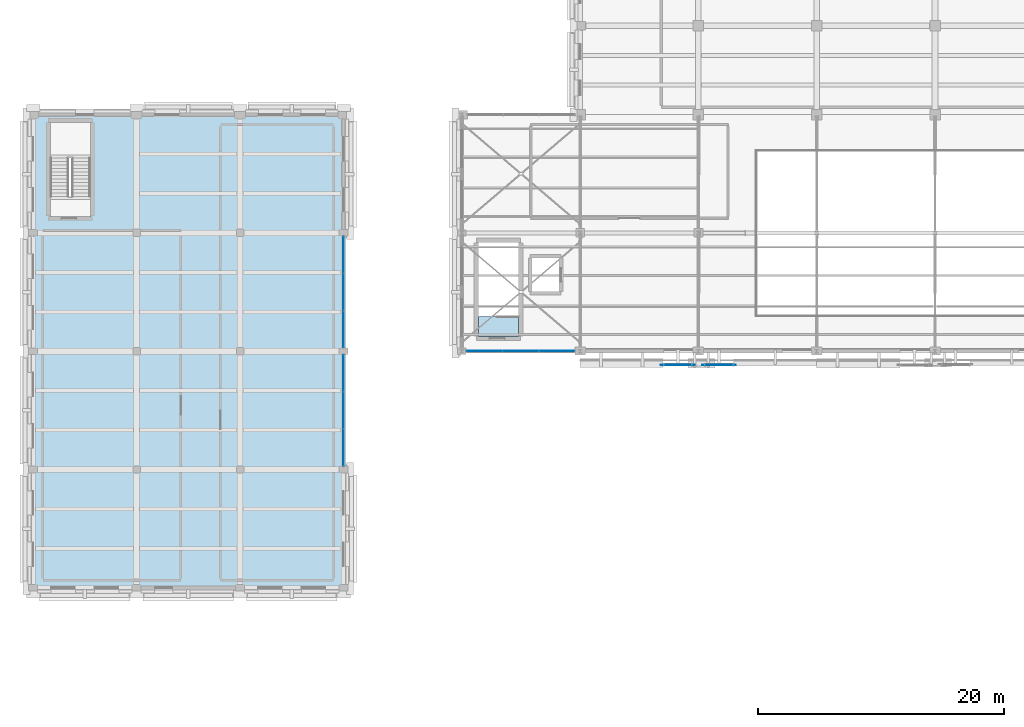
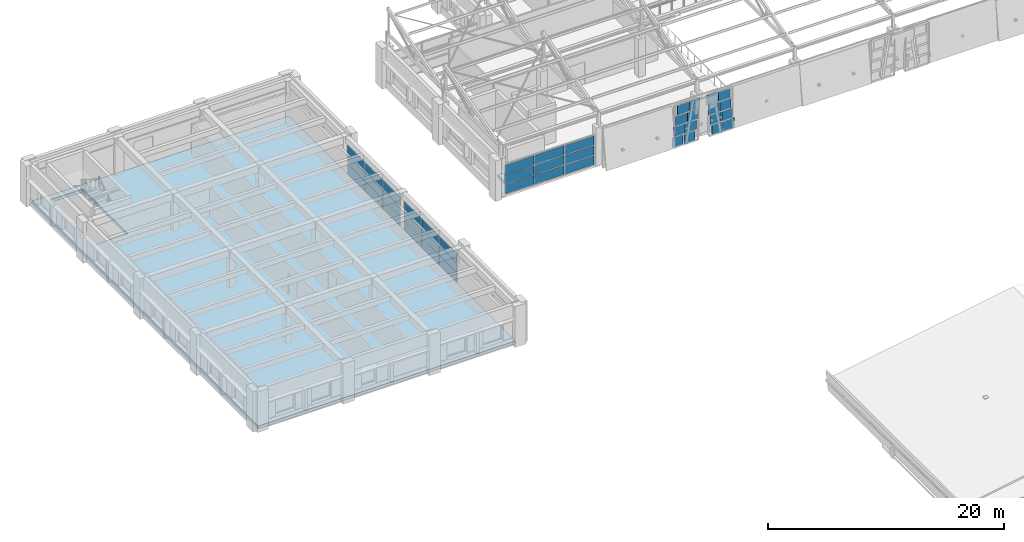
# One storey, part 35 of 58: 43 plates, 2 slabs, 5 elements without a shape of their own.
"""IFC4 building model written with IfcOpenShell, lengths in metres."""

from ifc_helpers import new_model, si_unit, direction, frame, origin, origin_2d, place, context, subcontext, project, spatial, polyline, rectangle, outline, extrude, material, layer, layer_set, type_object, element, aggregate, save


model = new_model("IFC4")

# Units and contexts
model_context = context("Model", 3, precision=1e-05, world=origin(), true_north=direction((0.0, 1.0)))
body_context = subcontext(model_context, "Body", "Model", "MODEL_VIEW")
ifc_project = project(units=[si_unit("LENGTHUNIT", "METRE"), si_unit("AREAUNIT", "SQUARE_METRE"), si_unit("VOLUMEUNIT", "CUBIC_METRE"), si_unit("PLANEANGLEUNIT", "RADIAN"), si_unit("MASSUNIT", "GRAM", prefix="KILO")], contexts=[model_context])

# Site, building, storey
site_placement = place(None, origin())
site = spatial("IfcSite", under=ifc_project, at=site_placement, CompositionType="ELEMENT")
building_placement = place(site_placement, origin())
building = spatial("IfcBuilding", under=site, at=building_placement, Name="Bempovik Park Faculty of Sciences", CompositionType="ELEMENT")
storey_placement = place(building_placement, frame((0.0, 0.0, 18.300048828125)))
storey = spatial("IfcBuildingStorey", under=building, at=storey_placement, Name="L04", CompositionType="ELEMENT", Elevation=18.300048828125)

# Curtain wall, plates
ifc_material_1 = material(Name="Tempered laminated low-E glass", Category="glass")
ifc_layer_1 = layer(ifc_material_1, 0.159912109375)
ifc_layer_set_1 = layer_set([ifc_layer_1], Name="Tempered laminated low-E glass")
curtain_wall_type_1 = type_object("IfcCurtainWallType", Name="CW-41 Curtain 6600x3800", PredefinedType="USERDEFINED", material=ifc_layer_set_1)
curtain_wall_1_placement = place(storey_placement, origin())
curtain_wall_1 = element("IfcCurtainWall", 1, at=curtain_wall_1_placement, inside=storey, type_object=curtain_wall_type_1, Name="L04 Unitised Curtain Wall (67.8,50.4)", ObjectType="UNITISED CURTAIN WALL", PredefinedType="USERDEFINED")
ifc_layer_2 = layer(ifc_material_1, 0.033935546875)
ifc_layer_set_2 = layer_set([ifc_layer_2], Name="Tempered laminated low-E glass")
plate_type_1 = type_object("IfcPlateType", Name="CP-19 Curtain Panel 34mm", PredefinedType="CURTAIN_PANEL", material=ifc_layer_set_2)
plate_1_placement = place(storey_placement, frame((52.22216796875, 67.800048828125, 1.066650390625), z_axis=(0.0, 0.0, 1.0), x_axis=(1.0, 0.0, 0.0)))
plate_1 = element("IfcPlate", 2, at=plate_1_placement, type_object=plate_type_1, Name="CW-BAY-L04-678-504 Panel 0-1", PredefinedType="CURTAIN_PANEL", context=body_context, shape_type="SweptSolid", body=[
    extrude(rectangle(XDim=2.8603515625, YDim=0.035888671875, at=origin_2d()), origin(), (0.0, 0.0, 1.0), 0.94677734375),
])
plate_2_placement = place(storey_placement, frame((52.22216796875, 67.800048828125, 2.09326171875), z_axis=(0.0, 0.0, 1.0), x_axis=(1.0, 0.0, 0.0)))
plate_2 = element("IfcPlate", 3, at=plate_2_placement, type_object=plate_type_1, Name="CW-BAY-L04-678-504 Panel 0-2", PredefinedType="CURTAIN_PANEL", context=body_context, shape_type="SweptSolid", body=[
    extrude(rectangle(XDim=2.8603515625, YDim=0.035888671875, at=origin_2d()), origin(), (0.0, 0.0, 1.0), 0.94677734375),
])
plate_3_placement = place(storey_placement, frame((55.16259765625, 67.800048828125, 1.066650390625), z_axis=(0.0, 0.0, 1.0), x_axis=(1.0, 0.0, 0.0)))
plate_3 = element("IfcPlate", 4, at=plate_3_placement, type_object=plate_type_1, Name="CW-BAY-L04-678-504 Panel 1-1", PredefinedType="CURTAIN_PANEL", context=body_context, shape_type="SweptSolid", body=[
    extrude(rectangle(XDim=2.8603515625, YDim=0.035888671875, at=origin_2d()), origin(), (0.0, 0.0, 1.0), 0.94677734375),
])
plate_4_placement = place(storey_placement, frame((55.16259765625, 67.800048828125, 2.09326171875), z_axis=(0.0, 0.0, 1.0), x_axis=(1.0, 0.0, 0.0)))
plate_4 = element("IfcPlate", 5, at=plate_4_placement, type_object=plate_type_1, Name="CW-BAY-L04-678-504 Panel 1-2", PredefinedType="CURTAIN_PANEL", context=body_context, shape_type="SweptSolid", body=[
    extrude(rectangle(XDim=2.8603515625, YDim=0.035888671875, at=origin_2d()), origin(), (0.0, 0.0, 1.0), 0.94677734375),
])
plate_5_placement = place(storey_placement, frame((58.102783203125, 67.800048828125, 1.066650390625), z_axis=(0.0, 0.0, 1.0), x_axis=(1.0, 0.0, 0.0)))
plate_5 = element("IfcPlate", 6, at=plate_5_placement, type_object=plate_type_1, Name="CW-BAY-L04-678-504 Panel 2-1", PredefinedType="CURTAIN_PANEL", context=body_context, shape_type="SweptSolid", body=[
    extrude(rectangle(XDim=2.8603515625, YDim=0.035888671875, at=origin_2d()), origin(), (0.0, 0.0, 1.0), 0.94677734375),
])
plate_6_placement = place(storey_placement, frame((58.102783203125, 67.800048828125, 2.09326171875), z_axis=(0.0, 0.0, 1.0), x_axis=(1.0, 0.0, 0.0)))
plate_6 = element("IfcPlate", 7, at=plate_6_placement, type_object=plate_type_1, Name="CW-BAY-L04-678-504 Panel 2-2", PredefinedType="CURTAIN_PANEL", context=body_context, shape_type="SweptSolid", body=[
    extrude(rectangle(XDim=2.8603515625, YDim=0.035888671875, at=origin_2d()), origin(), (0.0, 0.0, 1.0), 0.94677734375),
])

ifc_layer_3 = layer(ifc_material_1, 0.159912109375)
ifc_layer_set_3 = layer_set([ifc_layer_3], Name="Tempered laminated low-E glass")
curtain_wall_type_2 = type_object("IfcCurtainWallType", Name="CW-42 Curtain 6400x3700", PredefinedType="USERDEFINED", material=ifc_layer_set_3)
curtain_wall_2_placement = place(storey_placement, origin())
curtain_wall_2 = element("IfcCurtainWall", 8, at=curtain_wall_2_placement, inside=storey, type_object=curtain_wall_type_2, Name="L04 Unitised Curtain Wall (40.8,58.2)", ObjectType="UNITISED CURTAIN WALL", PredefinedType="USERDEFINED")
ifc_layer_4 = layer(ifc_material_1, 0.028076171875)
ifc_layer_set_4 = layer_set([ifc_layer_4], Name="Tempered laminated low-E glass")
plate_type_2 = type_object("IfcPlateType", Name="CP-20 Curtain Panel 28mm", PredefinedType="CURTAIN_PANEL", material=ifc_layer_set_4)
plate_7_placement = place(storey_placement, frame((40.800048828125, 59.981201171875, 1.066650390625), z_axis=(0.0, 0.0, 1.0), x_axis=(0.0, 1.0, 0.0)))
plate_7 = element("IfcPlate", 9, at=plate_7_placement, type_object=plate_type_2, Name="CW-BAY-L04-408-582 Panel 0-1", PredefinedType="CURTAIN_PANEL", context=body_context, shape_type="SweptSolid", body=[
    extrude(rectangle(XDim=2.938720703125, YDim=0.035888671875, at=origin_2d()), origin(), (0.0, 0.0, 1.0), 0.94677734375),
])
plate_8_placement = place(storey_placement, frame((40.800048828125, 59.981201171875, 2.09326171875), z_axis=(0.0, 0.0, 1.0), x_axis=(0.0, 1.0, 0.0)))
plate_8 = element("IfcPlate", 10, at=plate_8_placement, type_object=plate_type_2, Name="CW-BAY-L04-408-582 Panel 0-2", PredefinedType="CURTAIN_PANEL", context=body_context, shape_type="SweptSolid", body=[
    extrude(rectangle(XDim=2.938720703125, YDim=0.035888671875, at=origin_2d()), origin(), (0.0, 0.0, 1.0), 0.94677734375),
])
plate_9_placement = place(storey_placement, frame((40.800048828125, 63.0, 1.066650390625), z_axis=(0.0, 0.0, 1.0), x_axis=(0.0, 1.0, 0.0)))
plate_9 = element("IfcPlate", 11, at=plate_9_placement, type_object=plate_type_2, Name="CW-BAY-L04-408-582 Panel 1-1", PredefinedType="CURTAIN_PANEL", context=body_context, shape_type="SweptSolid", body=[
    extrude(rectangle(XDim=2.938720703125, YDim=0.035888671875, at=origin_2d()), origin(), (0.0, 0.0, 1.0), 0.94677734375),
])
plate_10_placement = place(storey_placement, frame((40.800048828125, 63.0, 2.09326171875), z_axis=(0.0, 0.0, 1.0), x_axis=(0.0, 1.0, 0.0)))
plate_10 = element("IfcPlate", 12, at=plate_10_placement, type_object=plate_type_2, Name="CW-BAY-L04-408-582 Panel 1-2", PredefinedType="CURTAIN_PANEL", context=body_context, shape_type="SweptSolid", body=[
    extrude(rectangle(XDim=2.938720703125, YDim=0.035888671875, at=origin_2d()), origin(), (0.0, 0.0, 1.0), 0.94677734375),
])
plate_11_placement = place(storey_placement, frame((40.800048828125, 66.018798828125, 1.066650390625), z_axis=(0.0, 0.0, 1.0), x_axis=(0.0, 1.0, 0.0)))
plate_11 = element("IfcPlate", 13, at=plate_11_placement, type_object=plate_type_2, Name="CW-BAY-L04-408-582 Panel 2-1", PredefinedType="CURTAIN_PANEL", context=body_context, shape_type="SweptSolid", body=[
    extrude(rectangle(XDim=2.938720703125, YDim=0.035888671875, at=origin_2d()), origin(), (0.0, 0.0, 1.0), 0.94677734375),
])
plate_12_placement = place(storey_placement, frame((40.800048828125, 66.018798828125, 2.09326171875), z_axis=(0.0, 0.0, 1.0), x_axis=(0.0, 1.0, 0.0)))
plate_12 = element("IfcPlate", 14, at=plate_12_placement, type_object=plate_type_2, Name="CW-BAY-L04-408-582 Panel 2-2", PredefinedType="CURTAIN_PANEL", context=body_context, shape_type="SweptSolid", body=[
    extrude(rectangle(XDim=2.938720703125, YDim=0.035888671875, at=origin_2d()), origin(), (0.0, 0.0, 1.0), 0.94677734375),
])

curtain_wall_3_placement = place(storey_placement, origin())
curtain_wall_3 = element("IfcCurtainWall", 15, at=curtain_wall_3_placement, inside=storey, type_object=curtain_wall_type_2, Name="L04 Unitised Curtain Wall (40.8,67.8)", ObjectType="UNITISED CURTAIN WALL", PredefinedType="USERDEFINED")
plate_13_placement = place(storey_placement, frame((40.800048828125, 69.581298828125, 1.066650390625), z_axis=(0.0, 0.0, 1.0), x_axis=(0.0, 1.0, 0.0)))
plate_13 = element("IfcPlate", 16, at=plate_13_placement, type_object=plate_type_2, Name="CW-BAY-L04-408-678 Panel 0-1", PredefinedType="CURTAIN_PANEL", context=body_context, shape_type="SweptSolid", body=[
    extrude(rectangle(XDim=2.938720703125, YDim=0.035888671875, at=origin_2d()), origin(), (0.0, 0.0, 1.0), 0.94677734375),
])
plate_14_placement = place(storey_placement, frame((40.800048828125, 69.581298828125, 2.09326171875), z_axis=(0.0, 0.0, 1.0), x_axis=(0.0, 1.0, 0.0)))
plate_14 = element("IfcPlate", 17, at=plate_14_placement, type_object=plate_type_2, Name="CW-BAY-L04-408-678 Panel 0-2", PredefinedType="CURTAIN_PANEL", context=body_context, shape_type="SweptSolid", body=[
    extrude(rectangle(XDim=2.938720703125, YDim=0.035888671875, at=origin_2d()), origin(), (0.0, 0.0, 1.0), 0.94677734375),
])
plate_15_placement = place(storey_placement, frame((40.800048828125, 72.60009765625, 1.066650390625), z_axis=(0.0, 0.0, 1.0), x_axis=(0.0, 1.0, 0.0)))
plate_15 = element("IfcPlate", 18, at=plate_15_placement, type_object=plate_type_2, Name="CW-BAY-L04-408-678 Panel 1-1", PredefinedType="CURTAIN_PANEL", context=body_context, shape_type="SweptSolid", body=[
    extrude(rectangle(XDim=2.938720703125, YDim=0.035888671875, at=origin_2d()), origin(), (0.0, 0.0, 1.0), 0.94677734375),
])
plate_16_placement = place(storey_placement, frame((40.800048828125, 72.60009765625, 2.09326171875), z_axis=(0.0, 0.0, 1.0), x_axis=(0.0, 1.0, 0.0)))
plate_16 = element("IfcPlate", 19, at=plate_16_placement, type_object=plate_type_2, Name="CW-BAY-L04-408-678 Panel 1-2", PredefinedType="CURTAIN_PANEL", context=body_context, shape_type="SweptSolid", body=[
    extrude(rectangle(XDim=2.938720703125, YDim=0.035888671875, at=origin_2d()), origin(), (0.0, 0.0, 1.0), 0.94677734375),
])
plate_17_placement = place(storey_placement, frame((40.800048828125, 75.61865234375, 1.066650390625), z_axis=(0.0, 0.0, 1.0), x_axis=(0.0, 1.0, 0.0)))
plate_17 = element("IfcPlate", 20, at=plate_17_placement, type_object=plate_type_2, Name="CW-BAY-L04-408-678 Panel 2-1", PredefinedType="CURTAIN_PANEL", context=body_context, shape_type="SweptSolid", body=[
    extrude(rectangle(XDim=2.938720703125, YDim=0.035888671875, at=origin_2d()), origin(), (0.0, 0.0, 1.0), 0.94677734375),
])
plate_18_placement = place(storey_placement, frame((40.800048828125, 75.61865234375, 2.09326171875), z_axis=(0.0, 0.0, 1.0), x_axis=(0.0, 1.0, 0.0)))
plate_18 = element("IfcPlate", 21, at=plate_18_placement, type_object=plate_type_2, Name="CW-BAY-L04-408-678 Panel 2-2", PredefinedType="CURTAIN_PANEL", context=body_context, shape_type="SweptSolid", body=[
    extrude(rectangle(XDim=2.938720703125, YDim=0.035888671875, at=origin_2d()), origin(), (0.0, 0.0, 1.0), 0.94677734375),
])

ifc_layer_5 = layer(ifc_material_1, 0.159912109375)
ifc_layer_set_5 = layer_set([ifc_layer_5], Name="Tempered laminated low-E glass")
curtain_wall_type_3 = type_object("IfcCurtainWallType", Name="CW-33 Curtain 2400x4000", PredefinedType="USERDEFINED", material=ifc_layer_set_5)
curtain_wall_4_placement = place(storey_placement, origin())
curtain_wall_4 = element("IfcCurtainWall", 22, at=curtain_wall_4_placement, inside=storey, type_object=curtain_wall_type_3, Name="L04 Crystal Slantwise Light Fold (67.8,60.0)", ObjectType="UNITISED CURTAIN WALL", PredefinedType="USERDEFINED")
ifc_layer_6 = layer(ifc_material_1, 0.035888671875)
ifc_layer_set_6 = layer_set([ifc_layer_6], Name="Tempered laminated low-E glass")
plate_type_3 = type_object("IfcPlateType", Name="CP-22 Curtain Panel 36mm", PredefinedType="CURTAIN_PANEL", material=ifc_layer_set_6)
plate_19_placement = place(storey_placement, frame((67.093017578125, 66.697021484375, 0.0), z_axis=(0.0, 0.0, 1.0), x_axis=(1.0, 0.0, 0.0)))
plate_19 = element("IfcPlate", 23, at=plate_19_placement, type_object=plate_type_3, Name="CW-FOLD-L04-678-600 Panel 0-0", PredefinedType="CURTAIN_PANEL", context=body_context, shape_type="SweptSolid", body=[
    extrude(rectangle(XDim=1.070068359375, YDim=0.035888671875, at=origin_2d()), origin(), (0.0, 0.0, 1.0), 0.989990234375),
])
plate_20_placement = place(storey_placement, frame((67.262939453125, 66.697021484375, 1.06982421875), z_axis=(0.0, 0.0, 1.0), x_axis=(1.0, 0.0, 0.0)))
plate_20 = element("IfcPlate", 24, at=plate_20_placement, type_object=plate_type_3, Name="CW-FOLD-L04-678-600 Panel 0-1", PredefinedType="CURTAIN_PANEL", context=body_context, shape_type="SweptSolid", body=[
    extrude(rectangle(XDim=1.070068359375, YDim=0.035888671875, at=origin_2d()), origin(), (0.0, 0.0, 1.0), 0.989990234375),
])
plate_21_placement = place(storey_placement, frame((67.43310546875, 66.697021484375, 2.14013671875), z_axis=(0.0, 0.0, 1.0), x_axis=(1.0, 0.0, 0.0)))
plate_21 = element("IfcPlate", 25, at=plate_21_placement, type_object=plate_type_3, Name="CW-FOLD-L04-678-600 Panel 0-2", PredefinedType="CURTAIN_PANEL", context=body_context, shape_type="SweptSolid", body=[
    extrude(rectangle(XDim=1.070068359375, YDim=0.035888671875, at=origin_2d()), origin(), (0.0, 0.0, 1.0), 0.989990234375),
])
plate_22_placement = place(storey_placement, frame((67.60302734375, 66.697021484375, 3.2099609375), z_axis=(0.0, 0.0, 1.0), x_axis=(1.0, 0.0, 0.0)))
plate_22 = element("IfcPlate", 26, at=plate_22_placement, type_object=plate_type_3, Name="CW-FOLD-L04-678-600 Panel 0-3", PredefinedType="CURTAIN_PANEL", context=body_context, shape_type="SweptSolid", body=[
    extrude(rectangle(XDim=1.070068359375, YDim=0.035888671875, at=origin_2d()), origin(), (0.0, 0.0, 1.0), 0.989990234375),
])
plate_23_placement = place(storey_placement, frame((68.242919921875, 66.697021484375, 0.0), z_axis=(0.0, 0.0, 1.0), x_axis=(1.0, 0.0, 0.0)))
plate_23 = element("IfcPlate", 27, at=plate_23_placement, type_object=plate_type_3, Name="CW-FOLD-L04-678-600 Panel 1-0", PredefinedType="CURTAIN_PANEL", context=body_context, shape_type="SweptSolid", body=[
    extrude(rectangle(XDim=1.070068359375, YDim=0.035888671875, at=origin_2d()), origin(), (0.0, 0.0, 1.0), 0.989990234375),
])
plate_24_placement = place(storey_placement, frame((68.4130859375, 66.697021484375, 1.06982421875), z_axis=(0.0, 0.0, 1.0), x_axis=(1.0, 0.0, 0.0)))
plate_24 = element("IfcPlate", 28, at=plate_24_placement, type_object=plate_type_3, Name="CW-FOLD-L04-678-600 Panel 1-1", PredefinedType="CURTAIN_PANEL", context=body_context, shape_type="SweptSolid", body=[
    extrude(rectangle(XDim=1.070068359375, YDim=0.035888671875, at=origin_2d()), origin(), (0.0, 0.0, 1.0), 0.989990234375),
])
plate_25_placement = place(storey_placement, frame((68.5830078125, 66.697021484375, 2.14013671875), z_axis=(0.0, 0.0, 1.0), x_axis=(1.0, 0.0, 0.0)))
plate_25 = element("IfcPlate", 29, at=plate_25_placement, type_object=plate_type_3, Name="CW-FOLD-L04-678-600 Panel 1-2", PredefinedType="CURTAIN_PANEL", context=body_context, shape_type="SweptSolid", body=[
    extrude(rectangle(XDim=1.070068359375, YDim=0.035888671875, at=origin_2d()), origin(), (0.0, 0.0, 1.0), 0.989990234375),
])
plate_26_placement = place(storey_placement, frame((68.7529296875, 66.697021484375, 3.2099609375), z_axis=(0.0, 0.0, 1.0), x_axis=(1.0, 0.0, 0.0)))
plate_26 = element("IfcPlate", 30, at=plate_26_placement, type_object=plate_type_3, Name="CW-FOLD-L04-678-600 Panel 1-3", PredefinedType="CURTAIN_PANEL", context=body_context, shape_type="SweptSolid", body=[
    extrude(rectangle(XDim=1.070068359375, YDim=0.035888671875, at=origin_2d()), origin(), (0.0, 0.0, 1.0), 0.989990234375),
])
aggregate(curtain_wall_4, [plate_19, plate_20, plate_21, plate_22, plate_23, plate_24, plate_25, plate_26])

curtain_wall_5_placement = place(storey_placement, origin())
curtain_wall_5 = element("IfcCurtainWall", 31, at=curtain_wall_5_placement, inside=storey, type_object=curtain_wall_type_3, Name="L04 Crystal Slantwise Light Fold (67.8,69.6)", ObjectType="UNITISED CURTAIN WALL", PredefinedType="USERDEFINED")
plate_27_placement = place(storey_placement, frame((70.95703125, 66.68212890625, 0.0), z_axis=(0.0, 0.0, 1.0), x_axis=(1.0, 0.0, 0.0)))
plate_27 = element("IfcPlate", 32, at=plate_27_placement, type_object=plate_type_3, Name="CW-FOLD-L04-678-696 Panel 0-0", PredefinedType="CURTAIN_PANEL", context=body_context, shape_type="SweptSolid", body=[
    extrude(rectangle(XDim=1.070068359375, YDim=0.035888671875, at=origin_2d()), origin(), (0.0, 0.0, 1.0), 0.989990234375),
])
plate_28_placement = place(storey_placement, frame((70.787109375, 66.68212890625, 1.06982421875), z_axis=(0.0, 0.0, 1.0), x_axis=(1.0, 0.0, 0.0)))
plate_28 = element("IfcPlate", 33, at=plate_28_placement, type_object=plate_type_3, Name="CW-FOLD-L04-678-696 Panel 0-1", PredefinedType="CURTAIN_PANEL", context=body_context, shape_type="SweptSolid", body=[
    extrude(rectangle(XDim=1.070068359375, YDim=0.035888671875, at=origin_2d()), origin(), (0.0, 0.0, 1.0), 0.989990234375),
])
plate_29_placement = place(storey_placement, frame((70.616943359375, 66.68212890625, 2.14013671875), z_axis=(0.0, 0.0, 1.0), x_axis=(1.0, 0.0, 0.0)))
plate_29 = element("IfcPlate", 34, at=plate_29_placement, type_object=plate_type_3, Name="CW-FOLD-L04-678-696 Panel 0-2", PredefinedType="CURTAIN_PANEL", context=body_context, shape_type="SweptSolid", body=[
    extrude(rectangle(XDim=1.070068359375, YDim=0.035888671875, at=origin_2d()), origin(), (0.0, 0.0, 1.0), 0.989990234375),
])
plate_30_placement = place(storey_placement, frame((70.447021484375, 66.68212890625, 3.2099609375), z_axis=(0.0, 0.0, 1.0), x_axis=(1.0, 0.0, 0.0)))
plate_30 = element("IfcPlate", 35, at=plate_30_placement, type_object=plate_type_3, Name="CW-FOLD-L04-678-696 Panel 0-3", PredefinedType="CURTAIN_PANEL", context=body_context, shape_type="SweptSolid", body=[
    extrude(rectangle(XDim=1.070068359375, YDim=0.035888671875, at=origin_2d()), origin(), (0.0, 0.0, 1.0), 0.989990234375),
])
plate_31_placement = place(storey_placement, frame((72.10693359375, 66.68212890625, 0.0), z_axis=(0.0, 0.0, 1.0), x_axis=(1.0, 0.0, 0.0)))
plate_31 = element("IfcPlate", 36, at=plate_31_placement, type_object=plate_type_3, Name="CW-FOLD-L04-678-696 Panel 1-0", PredefinedType="CURTAIN_PANEL", context=body_context, shape_type="SweptSolid", body=[
    extrude(rectangle(XDim=1.070068359375, YDim=0.035888671875, at=origin_2d()), origin(), (0.0, 0.0, 1.0), 0.989990234375),
])
plate_32_placement = place(storey_placement, frame((71.93701171875, 66.68212890625, 1.06982421875), z_axis=(0.0, 0.0, 1.0), x_axis=(1.0, 0.0, 0.0)))
plate_32 = element("IfcPlate", 37, at=plate_32_placement, type_object=plate_type_3, Name="CW-FOLD-L04-678-696 Panel 1-1", PredefinedType="CURTAIN_PANEL", context=body_context, shape_type="SweptSolid", body=[
    extrude(rectangle(XDim=1.070068359375, YDim=0.035888671875, at=origin_2d()), origin(), (0.0, 0.0, 1.0), 0.989990234375),
])
plate_33_placement = place(storey_placement, frame((71.76708984375, 66.68212890625, 2.14013671875), z_axis=(0.0, 0.0, 1.0), x_axis=(1.0, 0.0, 0.0)))
plate_33 = element("IfcPlate", 38, at=plate_33_placement, type_object=plate_type_3, Name="CW-FOLD-L04-678-696 Panel 1-2", PredefinedType="CURTAIN_PANEL", context=body_context, shape_type="SweptSolid", body=[
    extrude(rectangle(XDim=1.070068359375, YDim=0.035888671875, at=origin_2d()), origin(), (0.0, 0.0, 1.0), 0.989990234375),
])
plate_34_placement = place(storey_placement, frame((71.596923828125, 66.68212890625, 3.2099609375), z_axis=(0.0, 0.0, 1.0), x_axis=(1.0, 0.0, 0.0)))
plate_34 = element("IfcPlate", 39, at=plate_34_placement, type_object=plate_type_3, Name="CW-FOLD-L04-678-696 Panel 1-3", PredefinedType="CURTAIN_PANEL", context=body_context, shape_type="SweptSolid", body=[
    extrude(rectangle(XDim=1.070068359375, YDim=0.035888671875, at=origin_2d()), origin(), (0.0, 0.0, 1.0), 0.989990234375),
])
aggregate(curtain_wall_5, [plate_27, plate_28, plate_29, plate_30, plate_31, plate_32, plate_33, plate_34])

# Plate
ifc_material_2 = material(Name="Anodised architectural bronze")
ifc_layer_7 = layer(ifc_material_2, 0.048095703125)
ifc_layer_set_7 = layer_set([ifc_layer_7], Name="Anodised architectural bronze")
plate_type_4 = type_object("IfcPlateType", Name="CP-24 Curtain Panel 48mm", PredefinedType="CURTAIN_PANEL", material=ifc_layer_set_7)
plate_35_placement = place(storey_placement, frame((40.800048828125, 59.981201171875, 0.039794921875), z_axis=(0.0, 0.0, 1.0), x_axis=(0.0, 1.0, 0.0)))
plate_35 = element("IfcPlate", 40, at=plate_35_placement, type_object=plate_type_4, Name="CW-BAY-L04-408-582 Panel 0-0", PredefinedType="CURTAIN_PANEL", context=body_context, shape_type="SweptSolid", body=[
    extrude(rectangle(XDim=2.938720703125, YDim=0.035888671875, at=origin_2d()), origin(), (0.0, 0.0, 1.0), 0.94677734375),
])

plate_36_placement = place(storey_placement, frame((40.800048828125, 63.0, 0.039794921875), z_axis=(0.0, 0.0, 1.0), x_axis=(0.0, 1.0, 0.0)))
plate_36 = element("IfcPlate", 41, at=plate_36_placement, type_object=plate_type_4, Name="CW-BAY-L04-408-582 Panel 1-0", PredefinedType="CURTAIN_PANEL", context=body_context, shape_type="SweptSolid", body=[
    extrude(rectangle(XDim=2.938720703125, YDim=0.035888671875, at=origin_2d()), origin(), (0.0, 0.0, 1.0), 0.94677734375),
])

plate_37_placement = place(storey_placement, frame((40.800048828125, 66.018798828125, 0.039794921875), z_axis=(0.0, 0.0, 1.0), x_axis=(0.0, 1.0, 0.0)))
plate_37 = element("IfcPlate", 42, at=plate_37_placement, type_object=plate_type_4, Name="CW-BAY-L04-408-582 Panel 2-0", PredefinedType="CURTAIN_PANEL", context=body_context, shape_type="SweptSolid", body=[
    extrude(rectangle(XDim=2.938720703125, YDim=0.035888671875, at=origin_2d()), origin(), (0.0, 0.0, 1.0), 0.94677734375),
])

aggregate(curtain_wall_2, [plate_35, plate_7, plate_8, plate_36, plate_9, plate_10, plate_37, plate_11, plate_12])

plate_38_placement = place(storey_placement, frame((40.800048828125, 69.581298828125, 0.039794921875), z_axis=(0.0, 0.0, 1.0), x_axis=(0.0, 1.0, 0.0)))
plate_38 = element("IfcPlate", 43, at=plate_38_placement, type_object=plate_type_4, Name="CW-BAY-L04-408-678 Panel 0-0", PredefinedType="CURTAIN_PANEL", context=body_context, shape_type="SweptSolid", body=[
    extrude(rectangle(XDim=2.938720703125, YDim=0.035888671875, at=origin_2d()), origin(), (0.0, 0.0, 1.0), 0.94677734375),
])

plate_39_placement = place(storey_placement, frame((40.800048828125, 72.60009765625, 0.039794921875), z_axis=(0.0, 0.0, 1.0), x_axis=(0.0, 1.0, 0.0)))
plate_39 = element("IfcPlate", 44, at=plate_39_placement, type_object=plate_type_4, Name="CW-BAY-L04-408-678 Panel 1-0", PredefinedType="CURTAIN_PANEL", context=body_context, shape_type="SweptSolid", body=[
    extrude(rectangle(XDim=2.938720703125, YDim=0.035888671875, at=origin_2d()), origin(), (0.0, 0.0, 1.0), 0.94677734375),
])

plate_40_placement = place(storey_placement, frame((40.800048828125, 75.61865234375, 0.039794921875), z_axis=(0.0, 0.0, 1.0), x_axis=(0.0, 1.0, 0.0)))
plate_40 = element("IfcPlate", 45, at=plate_40_placement, type_object=plate_type_4, Name="CW-BAY-L04-408-678 Panel 2-0", PredefinedType="CURTAIN_PANEL", context=body_context, shape_type="SweptSolid", body=[
    extrude(rectangle(XDim=2.938720703125, YDim=0.035888671875, at=origin_2d()), origin(), (0.0, 0.0, 1.0), 0.94677734375),
])

aggregate(curtain_wall_3, [plate_38, plate_13, plate_14, plate_39, plate_15, plate_16, plate_40, plate_17, plate_18])

plate_41_placement = place(storey_placement, frame((52.22216796875, 67.800048828125, 0.039794921875), z_axis=(0.0, 0.0, 1.0), x_axis=(1.0, 0.0, 0.0)))
plate_41 = element("IfcPlate", 46, at=plate_41_placement, type_object=plate_type_4, Name="CW-BAY-L04-678-504 Panel 0-0", PredefinedType="CURTAIN_PANEL", context=body_context, shape_type="SweptSolid", body=[
    extrude(rectangle(XDim=2.8603515625, YDim=0.035888671875, at=origin_2d()), origin(), (0.0, 0.0, 1.0), 0.94677734375),
])

plate_42_placement = place(storey_placement, frame((55.16259765625, 67.800048828125, 0.039794921875), z_axis=(0.0, 0.0, 1.0), x_axis=(1.0, 0.0, 0.0)))
plate_42 = element("IfcPlate", 47, at=plate_42_placement, type_object=plate_type_4, Name="CW-BAY-L04-678-504 Panel 1-0", PredefinedType="CURTAIN_PANEL", context=body_context, shape_type="SweptSolid", body=[
    extrude(rectangle(XDim=2.8603515625, YDim=0.035888671875, at=origin_2d()), origin(), (0.0, 0.0, 1.0), 0.94677734375),
])

plate_43_placement = place(storey_placement, frame((58.102783203125, 67.800048828125, 0.039794921875), z_axis=(0.0, 0.0, 1.0), x_axis=(1.0, 0.0, 0.0)))
plate_43 = element("IfcPlate", 48, at=plate_43_placement, type_object=plate_type_4, Name="CW-BAY-L04-678-504 Panel 2-0", PredefinedType="CURTAIN_PANEL", context=body_context, shape_type="SweptSolid", body=[
    extrude(rectangle(XDim=2.8603515625, YDim=0.035888671875, at=origin_2d()), origin(), (0.0, 0.0, 1.0), 0.94677734375),
])

aggregate(curtain_wall_1, [plate_41, plate_1, plate_2, plate_42, plate_3, plate_4, plate_43, plate_5, plate_6])

# Slabs
ifc_material_3 = material(Name="Concrete C35/45", Category="concrete")
ifc_layer_8 = layer(ifc_material_3, 0.300048828125)
ifc_layer_set_8 = layer_set([ifc_layer_8], Name="Concrete C35/45")
slab_type_1 = type_object("IfcSlabType", Name="S-25 Slab 300mm", PredefinedType="FLOOR", material=ifc_layer_set_8)
slab_1_placement = place(storey_placement, frame((0.0, 0.0, -0.300048828125)))
element("IfcSlab", 49, at=slab_1_placement, inside=storey, type_object=slab_type_1, Name="L04 West Laboratory Wing Floor Slab (M)", PredefinedType="FLOOR", context=body_context, shape_type="SweptSolid", body=[
    extrude(outline(polyline([(15.60009765625, 48.60009765625), (40.800048828125, 48.60009765625), (40.800048828125, 87.0), (15.60009765625, 87.0), (15.60009765625, 48.60009765625)]), holes=[polyline([(17.0, 78.75), (20.25, 78.75), (20.25, 86.375), (17.0, 86.375), (17.0, 78.75)])]), origin(), (0.0, 0.0, 1.0), 0.300048828125),
])
ifc_layer_9 = layer(ifc_material_3, 0.199951171875)
ifc_layer_set_9 = layer_set([ifc_layer_9], Name="Concrete C35/45")
slab_type_2 = type_object("IfcSlabType", Name="S-41 Slab 200mm", PredefinedType="LANDING", material=ifc_layer_set_9)
slab_2_placement = place(storey_placement, frame((0.0, 0.0, -0.300048828125)))
element("IfcSlab", 50, at=slab_2_placement, inside=storey, type_object=slab_type_2, Name="L04 ST-4 Floor Landing Slab", PredefinedType="LANDING", context=body_context, shape_type="SweptSolid", body=[
    extrude(outline(polyline([(55.0, 69.0), (55.0, 70.625), (51.75, 70.625), (51.75, 69.0), (55.0, 69.0)])), origin(), (0.0, 0.0, 1.0), 0.300048828125),
])

save(model, "model.ifc")
